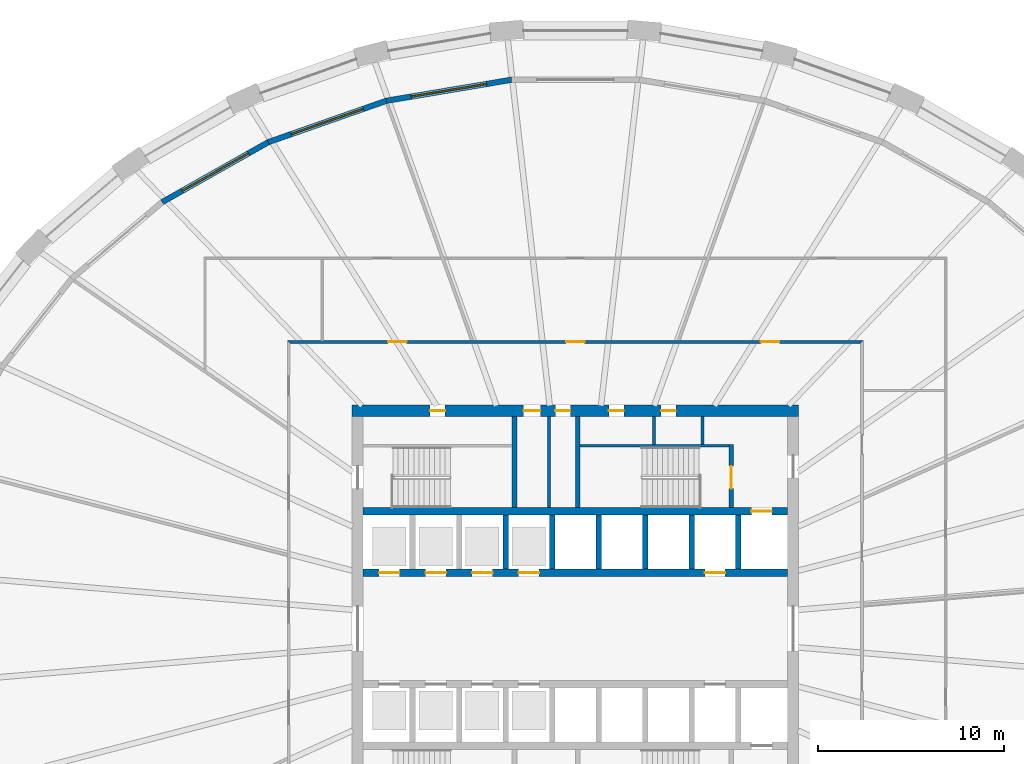
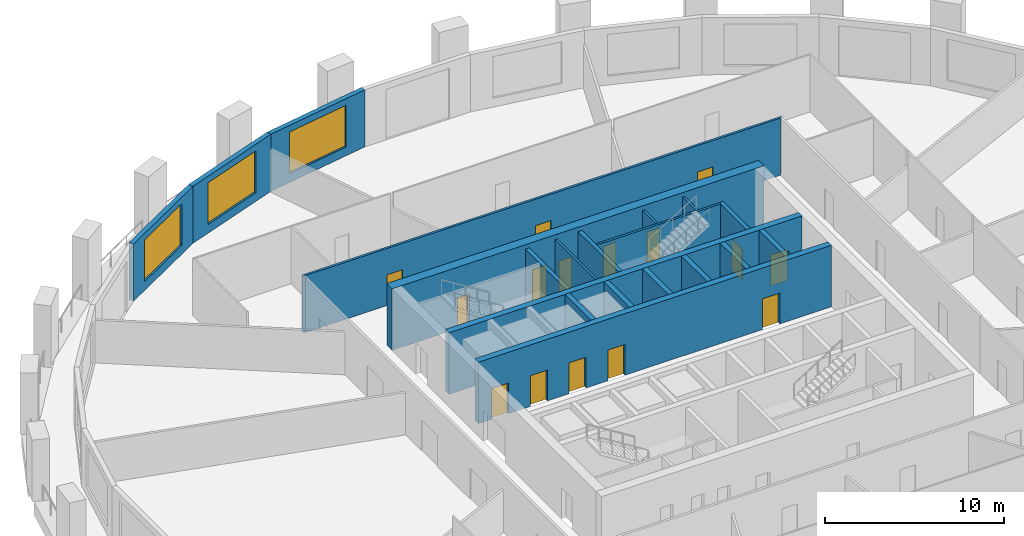
# One storey, part 6 of 11: 20 walls, 15 doors, 3 windows, 18 openings.
"""IFC4 building model written with IfcOpenShell, lengths in metres."""

from ifc_helpers import new_model, si_unit, direction, frame, frame_2d, origin, place, context, subcontext, project, spatial, polyline, rectangle, outline, extrude, material, layer, layer_set, type_object, element, fill, save


model = new_model("IFC4")

# Units and contexts
model_context = context("Model", 3, precision=1e-05, world=origin(), true_north=direction((0.0, 1.0)))
body_context = subcontext(model_context, "Body", "Model", "MODEL_VIEW")
ifc_project = project(units=[si_unit("LENGTHUNIT", "METRE"), si_unit("AREAUNIT", "SQUARE_METRE"), si_unit("VOLUMEUNIT", "CUBIC_METRE"), si_unit("PLANEANGLEUNIT", "RADIAN"), si_unit("MASSUNIT", "GRAM", prefix="KILO")], contexts=[model_context])

# Site, building, storey
site_placement = place(None, origin())
site = spatial("IfcSite", under=ifc_project, at=site_placement, CompositionType="ELEMENT")
building_placement = place(site_placement, origin())
building = spatial("IfcBuilding", under=site, at=building_placement, Name="Halqa Exchange Tower", CompositionType="ELEMENT")
storey_placement = place(building_placement, frame((0.0, 0.0, 40.300048828125)))
storey = spatial("IfcBuildingStorey", under=building, at=storey_placement, Name="L08", CompositionType="ELEMENT", Elevation=40.300048828125)

# Wall, openings, doors
ifc_material_1 = material(Name="Fire-rated gypsum board")
ifc_layer_1 = layer(ifc_material_1, 0.14990234375)
ifc_layer_set_1 = layer_set([ifc_layer_1], Name="Fire-rated gypsum board")
wall_type_1 = type_object("IfcWallType", Name="Fire partition EI 60 150", PredefinedType="PARTITIONING", material=ifc_layer_set_1)
wall_1_placement = place(storey_placement, frame((-15.47509765625, 15.39990234375, 0.0), z_axis=(0.0, 0.0, 1.0), x_axis=(1.0, 0.0, 0.0)))
wall_1 = element("IfcWall", 1, at=wall_1_placement, inside=storey, type_object=wall_type_1, Name="L08-PWL-012", PredefinedType="PARTITIONING", context=body_context, shape_type="SweptSolid", body=[
    extrude(outline(polyline([(0.150146484375, -0.074951171875), (2.065673828125, -0.074951171875), (3.9814453125, -0.074951171875), (5.89697265625, -0.074951171875), (7.8125, -0.074951171875), (9.728271484375, -0.074951171875), (11.643798828125, -0.074951171875), (13.5595703125, -0.074951171875), (15.47509765625, -0.074951171875), (17.390625, -0.074951171875), (19.306396484375, -0.074951171875), (21.221923828125, -0.074951171875), (23.1376953125, -0.074951171875), (25.05322265625, -0.074951171875), (26.96875, -0.074951171875), (28.884521484375, -0.074951171875), (30.800048828125, -0.074951171875), (30.949951171875, 0.074951171875), (29.015625, 0.074951171875), (27.081298828125, 0.074951171875), (25.14697265625, 0.074951171875), (23.21240234375, 0.074951171875), (21.278076171875, 0.074951171875), (19.34375, 0.074951171875), (17.409423828125, 0.074951171875), (15.47509765625, 0.074951171875), (13.540771484375, 0.074951171875), (11.6064453125, 0.074951171875), (9.672119140625, 0.074951171875), (7.73779296875, 0.074951171875), (5.80322265625, 0.074951171875), (3.868896484375, 0.074951171875), (1.9345703125, 0.074951171875), (0.000244140625, 0.074951171875), (0.150146484375, -0.074951171875)])), origin(), (0.0, 0.0, 1.0), 3.89990234375),
])
opening_1_placement = place(wall_1_placement, frame((5.4150390625, 0.0, 0.0)))
opening_1 = element("IfcOpeningElement", 2, at=opening_1_placement, cuts=wall_1, Name="Opening 02-02", PredefinedType="OPENING", context=body_context, shape_type="SweptSolid", body=[
    extrude(rectangle(XDim=1.0, YDim=2.10009765625, at=frame_2d((0.5, 1.050048828125))), frame((0.0, 0.0869140625, 0.0), z_axis=(0.0, -1.0, 0.0), x_axis=(1.0, 0.0, 0.0)), (0.0, 0.0, 1.0), 0.173828125),
])
opening_2_placement = place(wall_1_placement, frame((25.43505859375, 0.0, 0.0)))
opening_2 = element("IfcOpeningElement", 3, at=opening_2_placement, cuts=wall_1, Name="Opening 02-14", PredefinedType="OPENING", context=body_context, shape_type="SweptSolid", body=[
    extrude(rectangle(XDim=1.0, YDim=2.10009765625, at=frame_2d((0.5, 1.050048828125))), frame((0.0, 0.0869140625, 0.0), z_axis=(0.0, -1.0, 0.0), x_axis=(1.0, 0.0, 0.0)), (0.0, 0.0, 1.0), 0.173828125),
])
opening_3_placement = place(wall_1_placement, frame((14.97509765625, 0.0, 0.0)))
opening_3 = element("IfcOpeningElement", 4, at=opening_3_placement, cuts=wall_1, Name="Opening 02-16", PredefinedType="OPENING", context=body_context, shape_type="SweptSolid", body=[
    extrude(rectangle(XDim=1.0, YDim=2.10009765625, at=frame_2d((0.5, 1.050048828125))), frame((0.0, 0.0869140625, 0.0), z_axis=(0.0, -1.0, 0.0), x_axis=(1.0, 0.0, 0.0)), (0.0, 0.0, 1.0), 0.173828125),
])
ifc_material_2 = material(Name="Steel fire door leaf", Category="steel")
door_type_1 = type_object("IfcDoorType", Name="Fire door FD30S 1000 x 2100", OperationType="SINGLE_SWING_LEFT", PredefinedType="DOOR", material=ifc_material_2)
door_1_placement = place(opening_1_placement, origin())
door_1 = element("IfcDoor", 5, at=door_1_placement, inside=storey, type_object=door_type_1, Name="L08-IDR-002", OperationType="SINGLE_SWING_LEFT", OverallHeight=2.10009765625, OverallWidth=1.0, PredefinedType="DOOR", context=body_context, shape_type="SweptSolid", body=[
    extrude(rectangle(XDim=1.0, YDim=2.10009765625, at=frame_2d((0.5, 1.050048828125))), frame((0.0, 0.02490234375, 0.0), z_axis=(0.0, -1.0, 0.0), x_axis=(1.0, 0.0, 0.0)), (0.0, 0.0, 1.0), 0.050048828125),
])
fill(opening_1, door_1)
door_2_placement = place(opening_2_placement, origin())
door_2 = element("IfcDoor", 6, at=door_2_placement, inside=storey, type_object=door_type_1, Name="L08-IDR-014", OperationType="SINGLE_SWING_LEFT", OverallHeight=2.10009765625, OverallWidth=1.0, PredefinedType="DOOR", context=body_context, shape_type="SweptSolid", body=[
    extrude(rectangle(XDim=1.0, YDim=2.10009765625, at=frame_2d((0.5, 1.050048828125))), frame((0.0, 0.02490234375, 0.0), z_axis=(0.0, -1.0, 0.0), x_axis=(1.0, 0.0, 0.0)), (0.0, 0.0, 1.0), 0.050048828125),
])
fill(opening_2, door_2)
door_3_placement = place(opening_3_placement, origin())
door_3 = element("IfcDoor", 7, at=door_3_placement, inside=storey, type_object=door_type_1, Name="L08-IDR-016", OperationType="SINGLE_SWING_LEFT", OverallHeight=2.10009765625, OverallWidth=1.0, PredefinedType="DOOR", context=body_context, shape_type="SweptSolid", body=[
    extrude(rectangle(XDim=1.0, YDim=2.10009765625, at=frame_2d((0.5, 1.050048828125))), frame((0.0, 0.02490234375, 0.0), z_axis=(0.0, -1.0, 0.0), x_axis=(1.0, 0.0, 0.0)), (0.0, 0.0, 1.0), 0.050048828125),
])
fill(opening_3, door_3)

# Walls
ifc_material_3 = material(Name="Gypsum board")
ifc_layer_2 = layer(ifc_material_3, 0.14990234375)
ifc_layer_set_2 = layer_set([ifc_layer_2], Name="Gypsum board")
wall_type_2 = type_object("IfcWallType", Name="Penthouse riser wall 150 gypsum", PredefinedType="PARTITIONING", material=ifc_layer_set_2)
wall_2_placement = place(storey_placement, frame((-1.425048828125, 6.5, 0.0), z_axis=(0.0, 0.0, 1.0), x_axis=(0.0, 1.0, 0.0)))
element("IfcWall", 8, at=wall_2_placement, inside=storey, type_object=wall_type_2, Name="Partition W1.425 N", PredefinedType="PARTITIONING", context=body_context, shape_type="SweptSolid", body=[
    extrude(rectangle(XDim=4.89990234375, YDim=0.14990234375, at=frame_2d((2.449951171875, 0.0))), origin(), (0.0, 0.0, 1.0), 3.89990234375),
])
for number, where, z_axis, x_axis, name in (
    (9, (4.22509765625, 9.89990234375, 0.0), (0.0, 0.0, 1.0), (0.0, 1.0, 0.0), "Partition E4.225 N"),
    (10, (6.824951171875, 9.89990234375, 0.0), (0.0, 0.0, 1.0), (0.0, 1.0, 0.0), "Firefighting lobby west wall N"),
):
    element("IfcWall", number, at=place(storey_placement, frame(where, z_axis=z_axis, x_axis=x_axis)), inside=storey, type_object=wall_type_2, Name=name, PredefinedType="PARTITIONING", context=body_context, shape_type="SweptSolid", body=[
        extrude(rectangle(XDim=1.5, YDim=0.14990234375, at=frame_2d((0.75, 0.0))), origin(), (0.0, 0.0, 1.0), 3.89990234375),
    ])
ifc_material_4 = material(Name="Concrete C60/75", Category="concrete")
ifc_layer_3 = layer(ifc_material_4, 0.300048828125)
ifc_layer_set_3 = layer_set([ifc_layer_3], Name="Concrete C60/75")
wall_type_3 = type_object("IfcWallType", Name="RC core wall 300", PredefinedType="SHEAR", material=ifc_layer_set_3)
for number, where, z_axis, x_axis, name in (
    (11, (-3.75, 3.199951171875, 0.0), (0.0, 0.0, 1.0), (0.0, 1.0, 0.0), "Shaft divider N3"),
    (12, (-1.25, 3.199951171875, 0.0), (0.0, 0.0, 1.0), (0.0, 1.0, 0.0), "Shaft divider N4"),
    (13, (1.25, 3.199951171875, 0.0), (0.0, 0.0, 1.0), (0.0, 1.0, 0.0), "Shaft divider N5"),
    (14, (3.75, 3.199951171875, 0.0), (0.0, 0.0, 1.0), (0.0, 1.0, 0.0), "Shaft divider N6"),
    (15, (6.25, 3.199951171875, 0.0), (0.0, 0.0, 1.0), (0.0, 1.0, 0.0), "Shaft divider N7"),
    (16, (8.75, 3.199951171875, 0.0), (0.0, 0.0, 1.0), (0.0, 1.0, 0.0), "Shaft divider N8"),
):
    element("IfcWall", number, at=place(storey_placement, frame(where, z_axis=z_axis, x_axis=x_axis)), inside=storey, type_object=wall_type_3, Name=name, PredefinedType="SHEAR", context=body_context, shape_type="SweptSolid", body=[
        extrude(rectangle(XDim=2.900146484375, YDim=0.300048828125, at=frame_2d((1.4501953125, 0.0))), origin(), (0.0, 0.0, 1.0), 4.199951171875),
    ])

# Wall, openings, doors
ifc_material_5 = material(Name="Concrete C80/95", Category="concrete")
ifc_layer_4 = layer(ifc_material_5, 0.39990234375)
ifc_layer_set_4 = layer_set([ifc_layer_4], Name="Concrete C80/95")
wall_type_4 = type_object("IfcWallType", Name="RC core wall 400 C80/95", PredefinedType="SHEAR", material=ifc_layer_set_4)
wall_3_placement = place(storey_placement, frame((-11.39990234375, 3.0, 0.0), z_axis=(0.0, 0.0, 1.0), x_axis=(1.0, 0.0, 0.0)))
wall_3 = element("IfcWall", 17, at=wall_3_placement, inside=storey, type_object=wall_type_4, Name="Lift row front wall N", PredefinedType="SHEAR", context=body_context, shape_type="SweptSolid", body=[
    extrude(rectangle(XDim=22.7998046875, YDim=0.39990234375, at=frame_2d((11.39990234375, 0.0))), origin(), (0.0, 0.0, 1.0), 4.199951171875),
])
opening_4_placement = place(wall_3_placement, frame((0.85009765625, 0.0, 0.0)))
opening_4 = element("IfcOpeningElement", 18, at=opening_4_placement, cuts=wall_3, Name="Opening LD-LR1-T02", PredefinedType="OPENING", context=body_context, shape_type="SweptSolid", body=[
    extrude(rectangle(XDim=1.10009765625, YDim=2.10009765625, at=frame_2d((0.550048828125, 1.050048828125))), frame((0.0, 0.2119140625, 0.0), z_axis=(0.0, -1.0, 0.0), x_axis=(1.0, 0.0, 0.0)), (0.0, 0.0, 1.0), 0.423828125),
])
opening_5_placement = place(wall_3_placement, frame((3.35009765625, 0.0, 0.0)))
opening_5 = element("IfcOpeningElement", 19, at=opening_5_placement, cuts=wall_3, Name="Opening LD-LR2-T02", PredefinedType="OPENING", context=body_context, shape_type="SweptSolid", body=[
    extrude(rectangle(XDim=1.10009765625, YDim=2.10009765625, at=frame_2d((0.550048828125, 1.050048828125))), frame((0.0, 0.2119140625, 0.0), z_axis=(0.0, -1.0, 0.0), x_axis=(1.0, 0.0, 0.0)), (0.0, 0.0, 1.0), 0.423828125),
])
opening_6_placement = place(wall_3_placement, frame((5.85009765625, 0.0, 0.0)))
opening_6 = element("IfcOpeningElement", 20, at=opening_6_placement, cuts=wall_3, Name="Opening LD-LR3-T02", PredefinedType="OPENING", context=body_context, shape_type="SweptSolid", body=[
    extrude(rectangle(XDim=1.10009765625, YDim=2.10009765625, at=frame_2d((0.550048828125, 1.050048828125))), frame((0.0, 0.2119140625, 0.0), z_axis=(0.0, -1.0, 0.0), x_axis=(1.0, 0.0, 0.0)), (0.0, 0.0, 1.0), 0.423828125),
])
opening_7_placement = place(wall_3_placement, frame((8.35009765625, 0.0, 0.0)))
opening_7 = element("IfcOpeningElement", 21, at=opening_7_placement, cuts=wall_3, Name="Opening LD-LR4-T02", PredefinedType="OPENING", context=body_context, shape_type="SweptSolid", body=[
    extrude(rectangle(XDim=1.10009765625, YDim=2.10009765625, at=frame_2d((0.550048828125, 1.050048828125))), frame((0.0, 0.2119140625, 0.0), z_axis=(0.0, -1.0, 0.0), x_axis=(1.0, 0.0, 0.0)), (0.0, 0.0, 1.0), 0.423828125),
])
opening_8_placement = place(wall_3_placement, frame((18.35009765625, 0.0, 0.0)))
opening_8 = element("IfcOpeningElement", 22, at=opening_8_placement, cuts=wall_3, Name="Opening LD-SV1-T02", PredefinedType="OPENING", context=body_context, shape_type="SweptSolid", body=[
    extrude(rectangle(XDim=1.10009765625, YDim=2.10009765625, at=frame_2d((0.550048828125, 1.050048828125))), frame((0.0, 0.2119140625, 0.0), z_axis=(0.0, -1.0, 0.0), x_axis=(1.0, 0.0, 0.0)), (0.0, 0.0, 1.0), 0.423828125),
])
ifc_material_6 = material(Name="Stainless steel", Category="steel")
door_type_2 = type_object("IfcDoorType", Name="Lift landing door 1100 x 2100", OperationType="SLIDING_TO_LEFT", PredefinedType="DOOR", material=ifc_material_6)
door_4_placement = place(opening_4_placement, origin())
door_4 = element("IfcDoor", 23, at=door_4_placement, inside=storey, type_object=door_type_2, Name="Lift landing door LR1", OperationType="SLIDING_TO_LEFT", OverallHeight=2.10009765625, OverallWidth=1.10009765625, PredefinedType="DOOR", context=body_context, shape_type="SweptSolid", body=[
    extrude(rectangle(XDim=1.10009765625, YDim=2.10009765625, at=frame_2d((0.550048828125, 1.050048828125))), frame((0.0, 0.02490234375, 0.0), z_axis=(0.0, -1.0, 0.0), x_axis=(1.0, 0.0, 0.0)), (0.0, 0.0, 1.0), 0.050048828125),
])
fill(opening_4, door_4)
door_5_placement = place(opening_5_placement, origin())
door_5 = element("IfcDoor", 24, at=door_5_placement, inside=storey, type_object=door_type_2, Name="Lift landing door LR2", OperationType="SLIDING_TO_LEFT", OverallHeight=2.10009765625, OverallWidth=1.10009765625, PredefinedType="DOOR", context=body_context, shape_type="SweptSolid", body=[
    extrude(rectangle(XDim=1.10009765625, YDim=2.10009765625, at=frame_2d((0.550048828125, 1.050048828125))), frame((0.0, 0.02490234375, 0.0), z_axis=(0.0, -1.0, 0.0), x_axis=(1.0, 0.0, 0.0)), (0.0, 0.0, 1.0), 0.050048828125),
])
fill(opening_5, door_5)
door_6_placement = place(opening_6_placement, origin())
door_6 = element("IfcDoor", 25, at=door_6_placement, inside=storey, type_object=door_type_2, Name="Lift landing door LR3", OperationType="SLIDING_TO_LEFT", OverallHeight=2.10009765625, OverallWidth=1.10009765625, PredefinedType="DOOR", context=body_context, shape_type="SweptSolid", body=[
    extrude(rectangle(XDim=1.10009765625, YDim=2.10009765625, at=frame_2d((0.550048828125, 1.050048828125))), frame((0.0, 0.02490234375, 0.0), z_axis=(0.0, -1.0, 0.0), x_axis=(1.0, 0.0, 0.0)), (0.0, 0.0, 1.0), 0.050048828125),
])
fill(opening_6, door_6)
door_7_placement = place(opening_7_placement, origin())
door_7 = element("IfcDoor", 26, at=door_7_placement, inside=storey, type_object=door_type_2, Name="Lift landing door LR4", OperationType="SLIDING_TO_LEFT", OverallHeight=2.10009765625, OverallWidth=1.10009765625, PredefinedType="DOOR", context=body_context, shape_type="SweptSolid", body=[
    extrude(rectangle(XDim=1.10009765625, YDim=2.10009765625, at=frame_2d((0.550048828125, 1.050048828125))), frame((0.0, 0.02490234375, 0.0), z_axis=(0.0, -1.0, 0.0), x_axis=(1.0, 0.0, 0.0)), (0.0, 0.0, 1.0), 0.050048828125),
])
fill(opening_7, door_7)
door_8_placement = place(opening_8_placement, origin())
door_8 = element("IfcDoor", 27, at=door_8_placement, inside=storey, type_object=door_type_2, Name="Lift landing door SV1", OperationType="SLIDING_TO_LEFT", OverallHeight=2.10009765625, OverallWidth=1.10009765625, PredefinedType="DOOR", context=body_context, shape_type="SweptSolid", body=[
    extrude(rectangle(XDim=1.10009765625, YDim=2.10009765625, at=frame_2d((0.550048828125, 1.050048828125))), frame((0.0, 0.02490234375, 0.0), z_axis=(0.0, -1.0, 0.0), x_axis=(1.0, 0.0, 0.0)), (0.0, 0.0, 1.0), 0.050048828125),
])
fill(opening_8, door_8)

# Wall, opening, door
wall_4_placement = place(storey_placement, frame((-11.39990234375, 6.300048828125, 0.0), z_axis=(0.0, 0.0, 1.0), x_axis=(1.0, 0.0, 0.0)))
wall_4 = element("IfcWall", 28, at=wall_4_placement, inside=storey, type_object=wall_type_4, Name="Lift row back wall N", PredefinedType="SHEAR", context=body_context, shape_type="SweptSolid", body=[
    extrude(rectangle(XDim=22.7998046875, YDim=0.39990234375, at=frame_2d((11.39990234375, 0.0))), origin(), (0.0, 0.0, 1.0), 4.199951171875),
])
opening_9_placement = place(wall_4_placement, frame((20.85009765625, 0.0, 0.0)))
opening_9 = element("IfcOpeningElement", 29, at=opening_9_placement, cuts=wall_4, Name="Opening LD-FF1-T02", PredefinedType="OPENING", context=body_context, shape_type="SweptSolid", body=[
    extrude(rectangle(XDim=1.10009765625, YDim=2.10009765625, at=frame_2d((0.550048828125, 1.050048828125))), frame((0.0, 0.2119140625, 0.0), z_axis=(0.0, -1.0, 0.0), x_axis=(1.0, 0.0, 0.0)), (0.0, 0.0, 1.0), 0.423828125),
])
door_9_placement = place(opening_9_placement, origin())
door_9 = element("IfcDoor", 30, at=door_9_placement, inside=storey, type_object=door_type_2, Name="Lift landing door FF1", OperationType="SLIDING_TO_LEFT", OverallHeight=2.10009765625, OverallWidth=1.10009765625, PredefinedType="DOOR", context=body_context, shape_type="SweptSolid", body=[
    extrude(rectangle(XDim=1.10009765625, YDim=2.10009765625, at=frame_2d((0.550048828125, 1.050048828125))), frame((0.0, 0.02490234375, 0.0), z_axis=(0.0, -1.0, 0.0), x_axis=(1.0, 0.0, 0.0)), (0.0, 0.0, 1.0), 0.050048828125),
])
fill(opening_9, door_9)

# Wall, openings, doors
ifc_layer_5 = layer(ifc_material_5, 0.60009765625)
ifc_layer_set_5 = layer_set([ifc_layer_5], Name="Concrete C80/95")
wall_type_5 = type_object("IfcWallType", Name="RC core wall 600 C80/95", PredefinedType="SHEAR", material=ifc_layer_set_5)
wall_5_placement = place(storey_placement, frame((-12.0, 11.699951171875, 0.0), z_axis=(0.0, 0.0, 1.0), x_axis=(1.0, 0.0, 0.0)))
wall_5 = element("IfcWall", 31, at=wall_5_placement, inside=storey, type_object=wall_type_5, Name="Core wall north", PredefinedType="SHEAR", context=body_context, shape_type="SweptSolid", body=[
    extrude(rectangle(XDim=24.0, YDim=0.60009765625, at=frame_2d((12.0, 0.0))), origin(), (0.0, 0.0, 1.0), 4.199951171875),
])
opening_10_placement = place(wall_5_placement, frame((9.22509765625, 0.0, 0.0)))
opening_10 = element("IfcOpeningElement", 32, at=opening_10_placement, cuts=wall_5, Name="Opening T02-C21", PredefinedType="OPENING", context=body_context, shape_type="SweptSolid", body=[
    extrude(rectangle(XDim=0.89990234375, YDim=2.10009765625, at=frame_2d((0.449951171875, 1.050048828125))), frame((0.0, 0.31201171875, 0.0), z_axis=(0.0, -1.0, 0.0), x_axis=(1.0, 0.0, 0.0)), (0.0, 0.0, 1.0), 0.6240234375),
])
opening_11_placement = place(wall_5_placement, frame((10.925048828125, 0.0, 0.0)))
opening_11 = element("IfcOpeningElement", 33, at=opening_11_placement, cuts=wall_5, Name="Opening T02-C22", PredefinedType="OPENING", context=body_context, shape_type="SweptSolid", body=[
    extrude(rectangle(XDim=0.800048828125, YDim=2.10009765625, at=frame_2d((0.39990234375, 1.050048828125))), frame((0.0, 0.31201171875, 0.0), z_axis=(0.0, -1.0, 0.0), x_axis=(1.0, 0.0, 0.0)), (0.0, 0.0, 1.0), 0.6240234375),
])
opening_12_placement = place(wall_5_placement, frame((4.199951171875, 0.0, 0.0)))
opening_12 = element("IfcOpeningElement", 34, at=opening_12_placement, cuts=wall_5, Name="Opening T02-C23", PredefinedType="OPENING", context=body_context, shape_type="SweptSolid", body=[
    extrude(rectangle(XDim=0.800048828125, YDim=2.10009765625, at=frame_2d((0.39990234375, 1.050048828125))), frame((0.0, 0.31201171875, 0.0), z_axis=(0.0, -1.0, 0.0), x_axis=(1.0, 0.0, 0.0)), (0.0, 0.0, 1.0), 0.6240234375),
])
opening_13_placement = place(wall_5_placement, frame((13.800048828125, 0.0, 0.0)))
opening_13 = element("IfcOpeningElement", 35, at=opening_13_placement, cuts=wall_5, Name="Opening T02-C24", PredefinedType="OPENING", context=body_context, shape_type="SweptSolid", body=[
    extrude(rectangle(XDim=0.800048828125, YDim=2.10009765625, at=frame_2d((0.39990234375, 1.050048828125))), frame((0.0, 0.31201171875, 0.0), z_axis=(0.0, -1.0, 0.0), x_axis=(1.0, 0.0, 0.0)), (0.0, 0.0, 1.0), 0.6240234375),
])
opening_14_placement = place(wall_5_placement, frame((16.60009765625, 0.0, 0.0)))
opening_14 = element("IfcOpeningElement", 36, at=opening_14_placement, cuts=wall_5, Name="Opening T02-C25", PredefinedType="OPENING", context=body_context, shape_type="SweptSolid", body=[
    extrude(rectangle(XDim=0.800048828125, YDim=2.10009765625, at=frame_2d((0.39990234375, 1.050048828125))), frame((0.0, 0.31201171875, 0.0), z_axis=(0.0, -1.0, 0.0), x_axis=(1.0, 0.0, 0.0)), (0.0, 0.0, 1.0), 0.6240234375),
])
ifc_material_7 = material(Name="Timber fire door leaf", Category="wood")
door_type_3 = type_object("IfcDoorType", Name="Core room door FD30 900 x 2100", OperationType="SINGLE_SWING_LEFT", PredefinedType="DOOR", material=ifc_material_7)
door_10_placement = place(opening_10_placement, frame((0.89990234375, 0.0, 0.0), z_axis=(0.0, 0.0, 1.0), x_axis=(-1.0, 0.0, 0.0)))
door_10 = element("IfcDoor", 37, at=door_10_placement, inside=storey, type_object=door_type_3, Name="Core room door", OperationType="SINGLE_SWING_LEFT", OverallHeight=2.10009765625, OverallWidth=0.89990234375, PredefinedType="DOOR", context=body_context, shape_type="SweptSolid", body=[
    extrude(rectangle(XDim=0.89990234375, YDim=2.10009765625, at=frame_2d((0.449951171875, 1.050048828125))), frame((0.0, 0.02490234375, 0.0), z_axis=(0.0, -1.0, 0.0), x_axis=(1.0, 0.0, 0.0)), (0.0, 0.0, 1.0), 0.050048828125),
])
fill(opening_10, door_10)
door_type_4 = type_object("IfcDoorType", Name="Riser door FD60 800 x 2100", OperationType="SINGLE_SWING_LEFT", PredefinedType="DOOR", material=ifc_material_2)
door_11_placement = place(opening_11_placement, frame((0.800048828125, 0.0, 0.0), z_axis=(0.0, 0.0, 1.0), x_axis=(-1.0, 0.0, 0.0)))
door_11 = element("IfcDoor", 38, at=door_11_placement, inside=storey, type_object=door_type_4, Name="Core room door", OperationType="SINGLE_SWING_LEFT", OverallHeight=2.10009765625, OverallWidth=0.800048828125, PredefinedType="DOOR", context=body_context, shape_type="SweptSolid", body=[
    extrude(rectangle(XDim=0.800048828125, YDim=2.10009765625, at=frame_2d((0.39990234375, 1.050048828125))), frame((0.0, 0.02490234375, 0.0), z_axis=(0.0, -1.0, 0.0), x_axis=(1.0, 0.0, 0.0)), (0.0, 0.0, 1.0), 0.050048828125),
])
fill(opening_11, door_11)
door_12_placement = place(opening_12_placement, frame((0.800048828125, 0.0, 0.0), z_axis=(0.0, 0.0, 1.0), x_axis=(-1.0, 0.0, 0.0)))
door_12 = element("IfcDoor", 39, at=door_12_placement, inside=storey, type_object=door_type_4, Name="Core room door", OperationType="SINGLE_SWING_LEFT", OverallHeight=2.10009765625, OverallWidth=0.800048828125, PredefinedType="DOOR", context=body_context, shape_type="SweptSolid", body=[
    extrude(rectangle(XDim=0.800048828125, YDim=2.10009765625, at=frame_2d((0.39990234375, 1.050048828125))), frame((0.0, 0.02490234375, 0.0), z_axis=(0.0, -1.0, 0.0), x_axis=(1.0, 0.0, 0.0)), (0.0, 0.0, 1.0), 0.050048828125),
])
fill(opening_12, door_12)
door_13_placement = place(opening_13_placement, frame((0.800048828125, 0.0, 0.0), z_axis=(0.0, 0.0, 1.0), x_axis=(-1.0, 0.0, 0.0)))
door_13 = element("IfcDoor", 40, at=door_13_placement, inside=storey, type_object=door_type_4, Name="Core room door", OperationType="SINGLE_SWING_RIGHT", OverallHeight=2.10009765625, OverallWidth=0.800048828125, PredefinedType="DOOR", context=body_context, shape_type="SweptSolid", body=[
    extrude(rectangle(XDim=0.800048828125, YDim=2.10009765625, at=frame_2d((0.39990234375, 1.050048828125))), frame((0.0, 0.02490234375, 0.0), z_axis=(0.0, -1.0, 0.0), x_axis=(1.0, 0.0, 0.0)), (0.0, 0.0, 1.0), 0.050048828125),
])
fill(opening_13, door_13)
door_14_placement = place(opening_14_placement, frame((0.800048828125, 0.0, 0.0), z_axis=(0.0, 0.0, 1.0), x_axis=(-1.0, 0.0, 0.0)))
door_14 = element("IfcDoor", 41, at=door_14_placement, inside=storey, type_object=door_type_4, Name="Core room door", OperationType="SINGLE_SWING_LEFT", OverallHeight=2.10009765625, OverallWidth=0.800048828125, PredefinedType="DOOR", context=body_context, shape_type="SweptSolid", body=[
    extrude(rectangle(XDim=0.800048828125, YDim=2.10009765625, at=frame_2d((0.39990234375, 1.050048828125))), frame((0.0, 0.02490234375, 0.0), z_axis=(0.0, -1.0, 0.0), x_axis=(1.0, 0.0, 0.0)), (0.0, 0.0, 1.0), 0.050048828125),
])
fill(opening_14, door_14)

# Walls
ifc_material_8 = material(Name="Concrete C30/37", Category="concrete")
ifc_layer_6 = layer(ifc_material_8, 0.14990234375)
ifc_layer_set_6 = layer_set([ifc_layer_6], Name="Concrete C30/37")
wall_type_6 = type_object("IfcWallType", Name="RC stair wall 150 C30/37", PredefinedType="SHEAR", material=ifc_layer_set_6)
wall_6_placement = place(storey_placement, frame((0.25, 9.824951171875, 0.0), z_axis=(0.0, 0.0, 1.0), x_axis=(1.0, 0.0, 0.0)))
element("IfcWall", 42, at=wall_6_placement, inside=storey, type_object=wall_type_6, Name="Stair ST2 north wall N", PredefinedType="SHEAR", context=body_context, shape_type="SweptSolid", body=[
    extrude(rectangle(XDim=8.0, YDim=0.14990234375, at=frame_2d((4.0, 0.0))), origin(), (0.0, 0.0, 1.0), 3.89990234375),
])
ifc_layer_7 = layer(ifc_material_8, 0.25)
ifc_layer_set_7 = layer_set([ifc_layer_7], Name="Concrete C30/37")
wall_type_7 = type_object("IfcWallType", Name="RC stair wall 250 C30/37", PredefinedType="SHEAR", material=ifc_layer_set_7)
for number, where, z_axis, x_axis, name in (
    (43, (-3.27490234375, 6.5, 0.0), (0.0, 0.0, 1.0), (0.0, 1.0, 0.0), "Stair ST1 east wall N"),
    (44, (0.125, 6.5, 0.0), (0.0, 0.0, 1.0), (0.0, 1.0, 0.0), "Stair ST2 west wall N"),
):
    element("IfcWall", number, at=place(storey_placement, frame(where, z_axis=z_axis, x_axis=x_axis)), inside=storey, type_object=wall_type_7, Name=name, PredefinedType="SHEAR", context=body_context, shape_type="SweptSolid", body=[
        extrude(rectangle(XDim=4.89990234375, YDim=0.25, at=frame_2d((2.449951171875, 0.0))), origin(), (0.0, 0.0, 1.0), 3.89990234375),
    ])

# Wall, opening, door
wall_7_placement = place(storey_placement, frame((8.375, 6.5, 0.0), z_axis=(0.0, 0.0, 1.0), x_axis=(0.0, 1.0, 0.0)))
wall_7 = element("IfcWall", 45, at=wall_7_placement, inside=storey, type_object=wall_type_7, Name="Stair ST2 east wall N", PredefinedType="SHEAR", context=body_context, shape_type="SweptSolid", body=[
    extrude(rectangle(XDim=3.39990234375, YDim=0.25, at=frame_2d((1.699951171875, 0.0))), origin(), (0.0, 0.0, 1.0), 3.89990234375),
])
opening_15_placement = place(wall_7_placement, frame((1.02490234375, 0.0, 0.0)))
opening_15 = element("IfcOpeningElement", 46, at=opening_15_placement, cuts=wall_7, Name="Opening T02-C16", PredefinedType="OPENING", context=body_context, shape_type="SweptSolid", body=[
    extrude(rectangle(XDim=1.199951171875, YDim=2.10009765625, at=frame_2d((0.60009765625, 1.050048828125))), frame((0.0, 0.136962890625, 0.0), z_axis=(0.0, -1.0, 0.0), x_axis=(1.0, 0.0, 0.0)), (0.0, 0.0, 1.0), 0.27392578125),
])
door_type_5 = type_object("IfcDoorType", Name="Stair door FD90 1200 x 2100", OperationType="SINGLE_SWING_LEFT", PredefinedType="DOOR", material=ifc_material_2)
door_15_placement = place(opening_15_placement, origin())
door_15 = element("IfcDoor", 47, at=door_15_placement, inside=storey, type_object=door_type_5, Name="Stair door ST2", OperationType="SINGLE_SWING_RIGHT", OverallHeight=2.10009765625, OverallWidth=1.199951171875, PredefinedType="DOOR", context=body_context, shape_type="SweptSolid", body=[
    extrude(rectangle(XDim=1.199951171875, YDim=2.10009765625, at=frame_2d((0.60009765625, 1.050048828125))), frame((0.0, 0.02490234375, 0.0), z_axis=(0.0, -1.0, 0.0), x_axis=(1.0, 0.0, 0.0)), (0.0, 0.0, 1.0), 0.050048828125),
])
fill(opening_15, door_15)

# Wall, opening, window
ifc_material_9 = material(Name="Limestone cladding", Category="masonry")
ifc_layer_8 = layer(ifc_material_9, 0.0400390625)
ifc_material_10 = material(Name="Ventilated cavity")
ifc_layer_9 = layer(ifc_material_10, 0.030029296875, ventilated=True)
ifc_material_11 = material(Name="Mineral wool insulation")
ifc_layer_10 = layer(ifc_material_11, 0.10009765625)
ifc_layer_11 = layer(ifc_material_8, 0.10009765625)
ifc_material_12 = material(Name="Internal plaster")
ifc_layer_12 = layer(ifc_material_12, 0.030029296875)
ifc_layer_set_8 = layer_set([ifc_layer_8, ifc_layer_9, ifc_layer_10, ifc_layer_11, ifc_layer_12], Name="Stone-faced insulated wall 300")
wall_type_8 = type_object("IfcWallType", Name="Stone-faced insulated wall 300", PredefinedType="STANDARD", material=ifc_layer_set_8)
wall_8_placement = place(storey_placement, frame((-3.42919921875, 29.486328125, 0.0), z_axis=(0.0, 0.0, 1.0), x_axis=(-0.986145179906, -0.165884550659, 0.0)))
wall_8 = element("IfcWall", 48, at=wall_8_placement, inside=storey, type_object=wall_type_8, Name="Glass-line wall 9", PredefinedType="STANDARD", context=body_context, shape_type="SweptSolid", body=[
    extrude(outline(polyline([(-0.012451171875, -0.14990234375), (6.834228515625, -0.14990234375), (6.808837890625, 0.14990234375), (0.012451171875, 0.14990234375), (-0.012451171875, -0.14990234375)])), origin(), (0.0, 0.0, 1.0), 3.89990234375),
])
opening_16_placement = place(wall_8_placement, frame((1.36083984375, 0.0, 0.60009765625)))
opening_16 = element("IfcOpeningElement", 49, at=opening_16_placement, cuts=wall_8, Name="Opening W-F1-09", PredefinedType="OPENING", context=body_context, shape_type="SweptSolid", body=[
    extrude(rectangle(XDim=4.10009765625, YDim=2.85009765625, at=frame_2d((2.050048828125, 1.425048828125))), frame((0.0, 0.162109375, 0.0), z_axis=(0.0, -1.0, 0.0), x_axis=(1.0, 0.0, 0.0)), (0.0, 0.0, 1.0), 0.323974609375),
])
ifc_material_13 = material(Name="Clear low-emissivity glass in aluminium frame", Category="aluminium")
window_type = type_object("IfcWindowType", Name="Fixed clear glazed window 4100 x 2850", PartitioningType="TRIPLE_PANEL_VERTICAL", PredefinedType="WINDOW", material=ifc_material_13)
window_1_placement = place(opening_16_placement, origin())
window_1 = element("IfcWindow", 50, at=window_1_placement, inside=storey, type_object=window_type, Name="Window 1", OverallHeight=2.85009765625, OverallWidth=4.10009765625, PartitioningType="TRIPLE_PANEL_VERTICAL", PredefinedType="WINDOW", context=body_context, shape_type="SweptSolid", body=[
    extrude(rectangle(XDim=4.10009765625, YDim=2.85009765625, at=frame_2d((2.050048828125, 1.425048828125))), frame((0.0, 0.030029296875, 0.0), z_axis=(0.0, -1.0, 0.0), x_axis=(1.0, 0.0, 0.0)), (0.0, 0.0, 1.0), 0.06005859375),
])
fill(opening_16, window_1)

wall_9_placement = place(storey_placement, frame((-10.15625, 28.354736328125, 0.0), z_axis=(0.0, 0.0, 1.0), x_axis=(-0.943778979427, -0.330577128657, 0.0)))
wall_9 = element("IfcWall", 51, at=wall_9_placement, inside=storey, type_object=wall_type_8, Name="Glass-line wall 10", PredefinedType="STANDARD", context=body_context, shape_type="SweptSolid", body=[
    extrude(outline(polyline([(-0.0126953125, -0.14990234375), (6.728759765625, -0.14990234375), (6.701904296875, 0.14990234375), (0.0126953125, 0.14990234375), (-0.0126953125, -0.14990234375)])), origin(), (0.0, 0.0, 1.0), 3.89990234375),
])
opening_17_placement = place(wall_9_placement, frame((1.3076171875, 0.0, 0.60009765625)))
opening_17 = element("IfcOpeningElement", 52, at=opening_17_placement, cuts=wall_9, Name="Opening W-F1-10", PredefinedType="OPENING", context=body_context, shape_type="SweptSolid", body=[
    extrude(rectangle(XDim=4.10009765625, YDim=2.85009765625, at=frame_2d((2.050048828125, 1.425048828125))), frame((0.0, 0.162109375, 0.0), z_axis=(0.0, -1.0, 0.0), x_axis=(1.0, 0.0, 0.0)), (0.0, 0.0, 1.0), 0.323974609375),
])
window_2_placement = place(opening_17_placement, origin())
window_2 = element("IfcWindow", 53, at=window_2_placement, inside=storey, type_object=window_type, Name="Window 1", OverallHeight=2.85009765625, OverallWidth=4.10009765625, PartitioningType="TRIPLE_PANEL_VERTICAL", PredefinedType="WINDOW", context=body_context, shape_type="SweptSolid", body=[
    extrude(rectangle(XDim=4.10009765625, YDim=2.85009765625, at=frame_2d((2.050048828125, 1.425048828125))), frame((0.0, 0.030029296875, 0.0), z_axis=(0.0, -1.0, 0.0), x_axis=(1.0, 0.0, 0.0)), (0.0, 0.0, 1.0), 0.06005859375),
])
fill(opening_17, window_2)

wall_10_placement = place(storey_placement, frame((-16.494140625, 26.134765625, 0.0), z_axis=(0.0, 0.0, 1.0), x_axis=(-0.87061279013, -0.491968870623, 0.0)))
wall_10 = element("IfcWall", 54, at=wall_10_placement, inside=storey, type_object=wall_type_8, Name="Glass-line wall 11", PredefinedType="STANDARD", context=body_context, shape_type="SweptSolid", body=[
    extrude(outline(polyline([(-0.013427734375, -0.14990234375), (6.567626953125, -0.14990234375), (6.539306640625, 0.14990234375), (0.013427734375, 0.14990234375), (-0.013427734375, -0.14990234375)])), origin(), (0.0, 0.0, 1.0), 3.89990234375),
])
opening_18_placement = place(wall_10_placement, frame((1.226806640625, 0.0, 0.60009765625)))
opening_18 = element("IfcOpeningElement", 55, at=opening_18_placement, cuts=wall_10, Name="Opening W-F1-11", PredefinedType="OPENING", context=body_context, shape_type="SweptSolid", body=[
    extrude(rectangle(XDim=4.10009765625, YDim=2.85009765625, at=frame_2d((2.050048828125, 1.425048828125))), frame((0.0, 0.162109375, 0.0), z_axis=(0.0, -1.0, 0.0), x_axis=(1.0, 0.0, 0.0)), (0.0, 0.0, 1.0), 0.323974609375),
])
window_3_placement = place(opening_18_placement, origin())
window_3 = element("IfcWindow", 56, at=window_3_placement, inside=storey, type_object=window_type, Name="Window 1", OverallHeight=2.85009765625, OverallWidth=4.10009765625, PartitioningType="TRIPLE_PANEL_VERTICAL", PredefinedType="WINDOW", context=body_context, shape_type="SweptSolid", body=[
    extrude(rectangle(XDim=4.10009765625, YDim=2.85009765625, at=frame_2d((2.050048828125, 1.425048828125))), frame((0.0, 0.030029296875, 0.0), z_axis=(0.0, -1.0, 0.0), x_axis=(1.0, 0.0, 0.0)), (0.0, 0.0, 1.0), 0.06005859375),
])
fill(opening_18, window_3)

save(model, "model.ifc")
